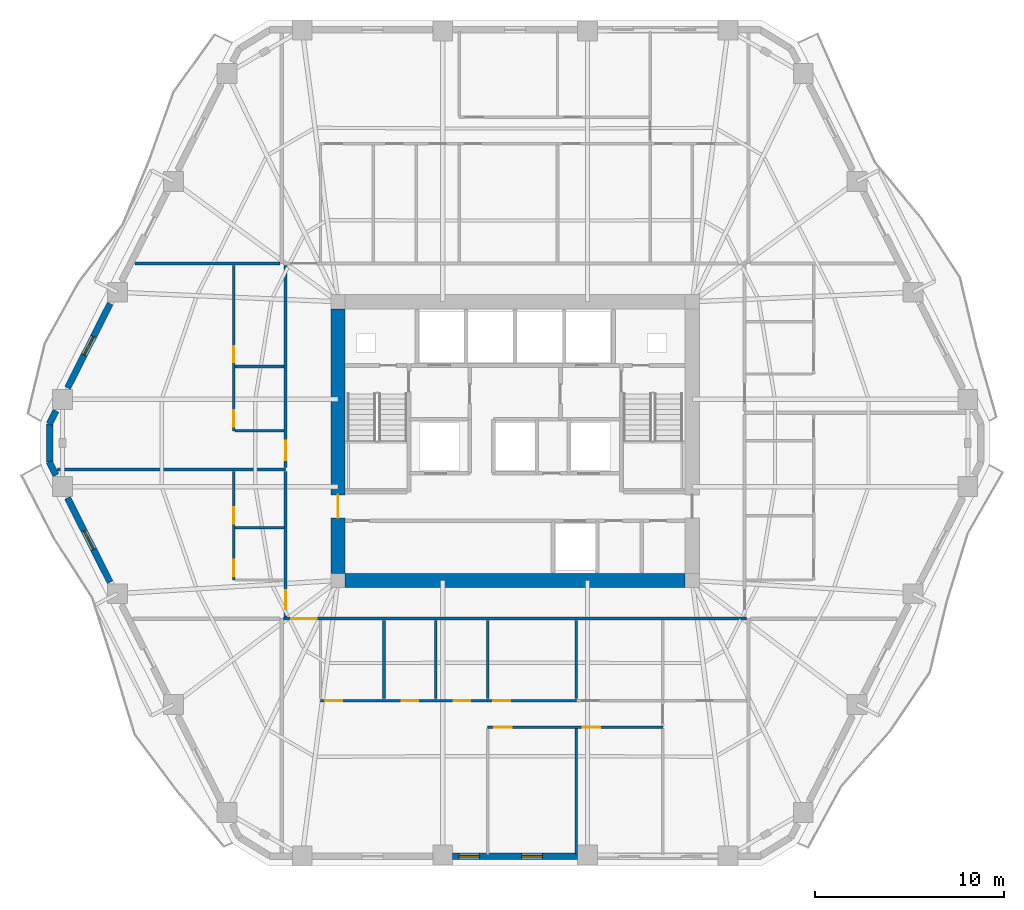
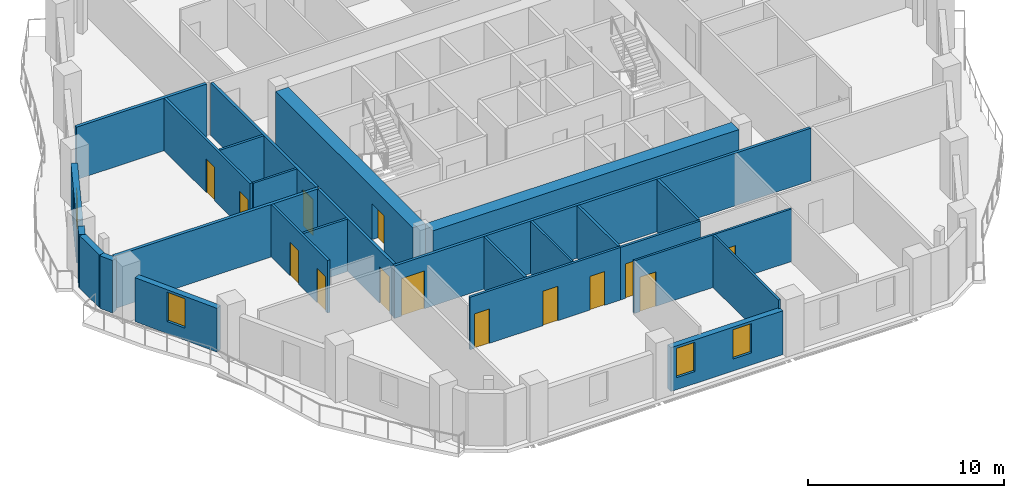
# One storey, part 4 of 11: 26 walls, 14 doors, 4 windows, 18 openings.
"""IFC4 building model written with IfcOpenShell, lengths in metres."""

from ifc_helpers import new_model, si_unit, direction, frame, frame_2d, origin, place, context, subcontext, project, spatial, rectangle, extrude, material, layer, layer_set, type_object, element, fill, save


model = new_model("IFC4")

# Units and contexts
model_context = context("Model", 3, precision=1e-05, world=origin(), true_north=direction((0.0, 1.0)))
body_context = subcontext(model_context, "Body", "Model", "MODEL_VIEW")
ifc_project = project(units=[si_unit("LENGTHUNIT", "METRE"), si_unit("AREAUNIT", "SQUARE_METRE"), si_unit("VOLUMEUNIT", "CUBIC_METRE"), si_unit("PLANEANGLEUNIT", "RADIAN"), si_unit("MASSUNIT", "GRAM", prefix="KILO")], contexts=[model_context])

# Site, building, storey
site_placement = place(None, origin())
site = spatial("IfcSite", under=ifc_project, at=site_placement, CompositionType="ELEMENT")
building_placement = place(site_placement, origin())
building = spatial("IfcBuilding", under=site, at=building_placement, Name="Cinnabar Lancet Tower", CompositionType="ELEMENT")
storey_placement = place(building_placement, frame((0.0, 0.0, 144.550048828125)))
storey = spatial("IfcBuildingStorey", under=building, at=storey_placement, Name="L38", CompositionType="ELEMENT", Elevation=144.550048828125)

# Wall, opening, door
ifc_material_1 = material(Name="Acoustic twin-stud gypsum partition", Category="gypsum")
ifc_layer_1 = layer(ifc_material_1, 0.159912109375)
ifc_layer_set_1 = layer_set([ifc_layer_1], Name="Acoustic twin-stud gypsum partition")
wall_type_1 = type_object("IfcWallType", Name="ARC-WL-CORR-160", PredefinedType="PARTITIONING", material=ifc_layer_set_1)
wall_1_placement = place(storey_placement, frame((20.14501953125, 16.5, 0.0), z_axis=(0.0, 0.0, 1.0), x_axis=(1.0, 0.0, 0.0)))
wall_1 = element("IfcWall", 1, at=wall_1_placement, inside=storey, type_object=wall_type_1, Name="L38 Unit S01 Corridor Wall", PredefinedType="PARTITIONING", context=body_context, shape_type="SweptSolid", body=[
    extrude(rectangle(XDim=24.510009765625, YDim=0.159912109375, at=frame_2d((12.2548828125, 0.0))), origin(), (0.0, 0.0, 1.0), 3.27001953125),
])
opening_1_placement = place(wall_1_placement, frame((0.405029296875, 0.0, 0.0)))
opening_1 = element("IfcOpeningElement", 2, at=opening_1_placement, cuts=wall_1, Name="Opening UD-02", PredefinedType="OPENING", context=body_context, shape_type="SweptSolid", body=[
    extrude(rectangle(XDim=1.35009765625, YDim=2.35009765625, at=frame_2d((0.675048828125, 1.175048828125))), frame((0.0, 0.08984375, 0.0), z_axis=(0.0, -1.0, 0.0), x_axis=(1.0, 0.0, 0.0)), (0.0, 0.0, 1.0), 0.179931640625),
])
ifc_material_2 = material(Name="Double-leaf solid timber penthouse entrance door", Category="wood")
door_type_1 = type_object("IfcDoorType", Name="ARC-DR-UNIT-PH", OperationType="NOTDEFINED", PredefinedType="DOOR", material=ifc_material_2)
door_1_placement = place(opening_1_placement, origin())
door_1 = element("IfcDoor", 3, at=door_1_placement, inside=storey, type_object=door_type_1, Name="DR-L38-S01-ENT", OperationType="SINGLE_SWING_RIGHT", OverallHeight=2.35009765625, OverallWidth=1.35009765625, PredefinedType="DOOR", context=body_context, shape_type="SweptSolid", body=[
    extrude(rectangle(XDim=1.35009765625, YDim=2.35009765625, at=frame_2d((0.675048828125, 1.175048828125))), frame((0.0, 0.02490234375, 0.0), z_axis=(0.0, -1.0, 0.0), x_axis=(1.0, 0.0, 0.0)), (0.0, 0.0, 1.0), 0.050048828125),
])
fill(opening_1, door_1)

wall_2_placement = place(storey_placement, frame((20.25, 16.594970703125, 0.0), z_axis=(0.0, 0.0, 1.0), x_axis=(0.0, 1.0, 0.0)))
wall_2 = element("IfcWall", 4, at=wall_2_placement, inside=storey, type_object=wall_type_1, Name="UW-L38-W01-COR", PredefinedType="PARTITIONING", context=body_context, shape_type="SweptSolid", body=[
    extrude(rectangle(XDim=7.7060546875, YDim=0.159912109375, at=frame_2d((3.85302734375, 0.0))), origin(), (0.0, 0.0, 1.0), 3.27001953125),
])
opening_2_placement = place(wall_2_placement, frame((0.39990234375, 0.0, 0.0)))
opening_2 = element("IfcOpeningElement", 5, at=opening_2_placement, cuts=wall_2, Name="Opening UD-01", PredefinedType="OPENING", context=body_context, shape_type="SweptSolid", body=[
    extrude(rectangle(XDim=1.02001953125, YDim=2.25, at=frame_2d((0.510009765625, 1.125))), frame((0.0, 0.08984375, 0.0), z_axis=(0.0, -1.0, 0.0), x_axis=(1.0, 0.0, 0.0)), (0.0, 0.0, 1.0), 0.179931640625),
])
ifc_material_3 = material(Name="Solid timber fire-rated apartment entrance door", Category="wood")
door_type_2 = type_object("IfcDoorType", Name="ARC-DR-UNIT", OperationType="NOTDEFINED", PredefinedType="DOOR", material=ifc_material_3)
door_2_placement = place(opening_2_placement, origin())
door_2 = element("IfcDoor", 6, at=door_2_placement, inside=storey, type_object=door_type_2, Name="DR-L38-W01-ENT", OperationType="SINGLE_SWING_RIGHT", OverallHeight=2.25, OverallWidth=1.02001953125, PredefinedType="DOOR", context=body_context, shape_type="SweptSolid", body=[
    extrude(rectangle(XDim=1.02001953125, YDim=2.25, at=frame_2d((0.510009765625, 1.125))), frame((0.0, 0.02490234375, 0.0), z_axis=(0.0, -1.0, 0.0), x_axis=(1.0, 0.0, 0.0)), (0.0, 0.0, 1.0), 0.050048828125),
])
fill(opening_2, door_2)

wall_3_placement = place(storey_placement, frame((20.25, 24.490966796875, 0.0), z_axis=(0.0, 0.0, 1.0), x_axis=(0.0, 1.0, 0.0)))
wall_3 = element("IfcWall", 7, at=wall_3_placement, inside=storey, type_object=wall_type_1, Name="UW-L38-W02-COR", PredefinedType="PARTITIONING", context=body_context, shape_type="SweptSolid", body=[
    extrude(rectangle(XDim=10.714111328125, YDim=0.159912109375, at=frame_2d((5.35693359375, 0.0))), origin(), (0.0, 0.0, 1.0), 3.27001953125),
])
opening_3_placement = place(wall_3_placement, frame((0.39990234375, 0.0, 0.0)))
opening_3 = element("IfcOpeningElement", 8, at=opening_3_placement, cuts=wall_3, Name="Opening UD-01", PredefinedType="OPENING", context=body_context, shape_type="SweptSolid", body=[
    extrude(rectangle(XDim=1.02001953125, YDim=2.25, at=frame_2d((0.510009765625, 1.125))), frame((0.0, 0.08984375, 0.0), z_axis=(0.0, -1.0, 0.0), x_axis=(1.0, 0.0, 0.0)), (0.0, 0.0, 1.0), 0.179931640625),
])
door_3_placement = place(opening_3_placement, origin())
door_3 = element("IfcDoor", 9, at=door_3_placement, inside=storey, type_object=door_type_2, Name="DR-L38-W02-ENT", OperationType="SINGLE_SWING_LEFT", OverallHeight=2.25, OverallWidth=1.02001953125, PredefinedType="DOOR", context=body_context, shape_type="SweptSolid", body=[
    extrude(rectangle(XDim=1.02001953125, YDim=2.25, at=frame_2d((0.510009765625, 1.125))), frame((0.0, 0.02490234375, 0.0), z_axis=(0.0, -1.0, 0.0), x_axis=(1.0, 0.0, 0.0)), (0.0, 0.0, 1.0), 0.050048828125),
])
fill(opening_3, door_3)

# Walls
ifc_material_4 = material(Name="Fire-rated twin-frame acoustic drywall", Category="gypsum")
ifc_layer_2 = layer(ifc_material_4, 0.179931640625)
ifc_layer_set_2 = layer_set([ifc_layer_2], Name="Fire-rated twin-frame acoustic drywall")
wall_type_2 = type_object("IfcWallType", Name="ARC-WL-PARTY-180", PredefinedType="PARTITIONING", material=ifc_layer_set_2)
wall_4_placement = place(storey_placement, frame((12.285888671875, 35.300048828125, 0.0), z_axis=(0.0, 0.0, 1.0), x_axis=(1.0, 0.0, 0.0)))
element("IfcWall", 10, at=wall_4_placement, inside=storey, type_object=wall_type_2, Name="PW-L38-WNB", PredefinedType="PARTITIONING", context=body_context, shape_type="SweptSolid", body=[
    extrude(rectangle(XDim=7.669189453125, YDim=0.179931640625, at=frame_2d((3.83447265625, 0.0))), origin(), (0.0, 0.0, 1.0), 3.27001953125),
])
wall_5_placement = place(storey_placement, frame((8.18994140625, 24.39599609375, 0.0), z_axis=(0.0, 0.0, 1.0), x_axis=(1.0, 0.0, 0.0)))
element("IfcWall", 11, at=wall_5_placement, inside=storey, type_object=wall_type_2, Name="PW-L38-WPTY-1", PredefinedType="PARTITIONING", context=body_context, shape_type="SweptSolid", body=[
    extrude(rectangle(XDim=12.06005859375, YDim=0.179931640625, at=frame_2d((6.030029296875, 0.0))), origin(), (0.0, 0.0, 1.0), 3.27001953125),
])
ifc_material_5 = material(Name="Gypsum plasterboard stud partition", Category="gypsum")
ifc_layer_3 = layer(ifc_material_5, 0.125)
ifc_layer_set_3 = layer_set([ifc_layer_3], Name="Gypsum plasterboard stud partition")
wall_type_3 = type_object("IfcWallType", Name="ARC-WL-UNIT-125", PredefinedType="PARTITIONING", material=ifc_layer_set_3)
wall_6_placement = place(storey_placement, frame((28.2060546875, 12.26708984375, 0.0), z_axis=(0.0, 0.0, 1.0), x_axis=(0.0, 1.0, 0.0)))
element("IfcWall", 12, at=wall_6_placement, inside=storey, type_object=wall_type_3, Name="UW-L38-S01-STD", PredefinedType="PARTITIONING", context=body_context, shape_type="SweptSolid", body=[
    extrude(rectangle(XDim=4.14794921875, YDim=0.125, at=frame_2d((2.073974609375, 0.0))), origin(), (0.0, 0.0, 1.0), 3.27001953125),
])

# Wall, openings, doors
wall_7_placement = place(storey_placement, frame((30.949951171875, 10.761962890625, 0.0), z_axis=(0.0, 0.0, 1.0), x_axis=(1.0, 0.0, 0.0)))
wall_7 = element("IfcWall", 13, at=wall_7_placement, inside=storey, type_object=wall_type_3, Name="UW-L38-S01-HLN", PredefinedType="PARTITIONING", context=body_context, shape_type="SweptSolid", body=[
    extrude(rectangle(XDim=9.27001953125, YDim=0.125, at=frame_2d((4.635009765625, 0.0))), origin(), (0.0, 0.0, 1.0), 3.27001953125),
])
opening_4_placement = place(wall_7_placement, frame((0.35009765625, 0.0, 0.0)))
opening_4 = element("IfcOpeningElement", 14, at=opening_4_placement, cuts=wall_7, Name="Opening RD-01", PredefinedType="OPENING", context=body_context, shape_type="SweptSolid", body=[
    extrude(rectangle(XDim=0.919921875, YDim=2.14990234375, at=frame_2d((0.4599609375, 1.074951171875))), frame((0.0, 0.072509765625, 0.0), z_axis=(0.0, -1.0, 0.0), x_axis=(1.0, 0.0, 0.0)), (0.0, 0.0, 1.0), 0.14501953125),
])
opening_5_placement = place(wall_7_placement, frame((5.0419921875, 0.0, 0.0)))
opening_5 = element("IfcOpeningElement", 15, at=opening_5_placement, cuts=wall_7, Name="Opening RD-01", PredefinedType="OPENING", context=body_context, shape_type="SweptSolid", body=[
    extrude(rectangle(XDim=0.919921875, YDim=2.14990234375, at=frame_2d((0.4599609375, 1.074951171875))), frame((0.0, 0.072509765625, 0.0), z_axis=(0.0, -1.0, 0.0), x_axis=(1.0, 0.0, 0.0)), (0.0, 0.0, 1.0), 0.14501953125),
])
ifc_material_6 = material(Name="Engineered timber bedroom door", Category="wood")
door_type_3 = type_object("IfcDoorType", Name="ARC-DR-ROOM", OperationType="NOTDEFINED", PredefinedType="DOOR", material=ifc_material_6)
door_4_placement = place(opening_4_placement, origin())
door_4 = element("IfcDoor", 16, at=door_4_placement, inside=storey, type_object=door_type_3, Name="DR-L38-S01-BD2", OperationType="SINGLE_SWING_LEFT", OverallHeight=2.14990234375, OverallWidth=0.919921875, PredefinedType="DOOR", context=body_context, shape_type="SweptSolid", body=[
    extrude(rectangle(XDim=0.919921875, YDim=2.14990234375, at=frame_2d((0.4599609375, 1.074951171875))), frame((0.0, 0.02490234375, 0.0), z_axis=(0.0, -1.0, 0.0), x_axis=(1.0, 0.0, 0.0)), (0.0, 0.0, 1.0), 0.050048828125),
])
fill(opening_4, door_4)
door_5_placement = place(opening_5_placement, origin())
door_5 = element("IfcDoor", 17, at=door_5_placement, inside=storey, type_object=door_type_3, Name="DR-L38-S01-BD3", OperationType="SINGLE_SWING_RIGHT", OverallHeight=2.14990234375, OverallWidth=0.919921875, PredefinedType="DOOR", context=body_context, shape_type="SweptSolid", body=[
    extrude(rectangle(XDim=0.919921875, YDim=2.14990234375, at=frame_2d((0.4599609375, 1.074951171875))), frame((0.0, 0.02490234375, 0.0), z_axis=(0.0, -1.0, 0.0), x_axis=(1.0, 0.0, 0.0)), (0.0, 0.0, 1.0), 0.050048828125),
])
fill(opening_5, door_5)

# Walls
wall_8_placement = place(storey_placement, frame((35.64208984375, 4.014892578125, 0.0), z_axis=(0.0, 0.0, 1.0), x_axis=(0.0, 1.0, 0.0)))
element("IfcWall", 18, at=wall_8_placement, inside=storey, type_object=wall_type_3, Name="UW-L38-S01-MB2W", PredefinedType="PARTITIONING", context=body_context, shape_type="SweptSolid", body=[
    extrude(rectangle(XDim=6.68212890625, YDim=0.125, at=frame_2d((3.341064453125, 0.0))), origin(), (0.0, 0.0, 1.0), 3.27001953125),
])
wall_9_placement = place(storey_placement, frame((17.5849609375, 26.446044921875, 0.0), z_axis=(0.0, 0.0, 1.0), x_axis=(1.0, 0.0, 0.0)))
element("IfcWall", 19, at=wall_9_placement, inside=storey, type_object=wall_type_3, Name="UW-L38-W02-FOYN", PredefinedType="PARTITIONING", context=body_context, shape_type="SweptSolid", body=[
    extrude(rectangle(XDim=2.580078125, YDim=0.125, at=frame_2d((1.2900390625, 0.0))), origin(), (0.0, 0.0, 1.0), 3.27001953125),
])

# Wall, openings, doors
ifc_material_7 = material(Name="Moisture-resistant cement-board plumbing wall", Category="masonry")
ifc_layer_4 = layer(ifc_material_7, 0.139892578125)
ifc_layer_set_4 = layer_set([ifc_layer_4], Name="Moisture-resistant cement-board plumbing wall")
wall_type_4 = type_object("IfcWallType", Name="ARC-WL-WET-140", PredefinedType="PLUMBINGWALL", material=ifc_layer_set_4)
wall_10_placement = place(storey_placement, frame((22.10009765625, 12.162109375, 0.0), z_axis=(0.0, 0.0, 1.0), x_axis=(1.0, 0.0, 0.0)))
wall_10 = element("IfcWall", 20, at=wall_10_placement, inside=storey, type_object=wall_type_4, Name="UW-L38-S01-SPL", PredefinedType="PLUMBINGWALL", context=body_context, shape_type="SweptSolid", body=[
    extrude(rectangle(XDim=8.849853515625, YDim=0.139892578125, at=frame_2d((4.4248046875, 0.0))), origin(), (0.0, 0.0, 1.0), 3.27001953125),
])
opening_6_placement = place(wall_10_placement, frame((7.052978515625, 0.0, 0.0)))
opening_6 = element("IfcOpeningElement", 21, at=opening_6_placement, cuts=wall_10, Name="Opening BD-01", PredefinedType="OPENING", context=body_context, shape_type="SweptSolid", body=[
    extrude(rectangle(XDim=0.860107421875, YDim=2.10009765625, at=frame_2d((0.43017578125, 1.050048828125))), frame((0.0, 0.079833984375, 0.0), z_axis=(0.0, -1.0, 0.0), x_axis=(1.0, 0.0, 0.0)), (0.0, 0.0, 1.0), 0.159912109375),
])
opening_7_placement = place(wall_10_placement, frame((0.260009765625, 0.0, 0.0)))
opening_7 = element("IfcOpeningElement", 22, at=opening_7_placement, cuts=wall_10, Name="Opening RD-02", PredefinedType="OPENING", context=body_context, shape_type="SweptSolid", body=[
    extrude(rectangle(XDim=0.8798828125, YDim=2.14990234375, at=frame_2d((0.43994140625, 1.074951171875))), frame((0.0, 0.079833984375, 0.0), z_axis=(0.0, -1.0, 0.0), x_axis=(1.0, 0.0, 0.0)), (0.0, 0.0, 1.0), 0.159912109375),
])
opening_8_placement = place(wall_10_placement, frame((4.2939453125, 0.0, 0.0)))
opening_8 = element("IfcOpeningElement", 23, at=opening_8_placement, cuts=wall_10, Name="Opening RD-02", PredefinedType="OPENING", context=body_context, shape_type="SweptSolid", body=[
    extrude(rectangle(XDim=0.8798828125, YDim=2.14990234375, at=frame_2d((0.43994140625, 1.074951171875))), frame((0.0, 0.079833984375, 0.0), z_axis=(0.0, -1.0, 0.0), x_axis=(1.0, 0.0, 0.0)), (0.0, 0.0, 1.0), 0.159912109375),
])
ifc_material_8 = material(Name="Moisture-resistant timber bathroom door", Category="wood")
door_type_4 = type_object("IfcDoorType", Name="ARC-DR-BATH", OperationType="NOTDEFINED", PredefinedType="DOOR", material=ifc_material_8)
door_6_placement = place(opening_6_placement, origin())
door_6 = element("IfcDoor", 24, at=door_6_placement, inside=storey, type_object=door_type_4, Name="DR-L38-S01-BTH", OperationType="SINGLE_SWING_LEFT", OverallHeight=2.10009765625, OverallWidth=0.860107421875, PredefinedType="DOOR", context=body_context, shape_type="SweptSolid", body=[
    extrude(rectangle(XDim=0.860107421875, YDim=2.10009765625, at=frame_2d((0.43017578125, 1.050048828125))), frame((0.0, 0.02490234375, 0.0), z_axis=(0.0, -1.0, 0.0), x_axis=(1.0, 0.0, 0.0)), (0.0, 0.0, 1.0), 0.050048828125),
])
fill(opening_6, door_6)
ifc_material_9 = material(Name="Engineered timber study door", Category="wood")
door_type_5 = type_object("IfcDoorType", Name="ARC-DR-STUDY", OperationType="NOTDEFINED", PredefinedType="DOOR", material=ifc_material_9)
door_7_placement = place(opening_7_placement, origin())
door_7 = element("IfcDoor", 25, at=door_7_placement, inside=storey, type_object=door_type_5, Name="DR-L38-S01-KIT", OperationType="SINGLE_SWING_LEFT", OverallHeight=2.14990234375, OverallWidth=0.8798828125, PredefinedType="DOOR", context=body_context, shape_type="SweptSolid", body=[
    extrude(rectangle(XDim=0.8798828125, YDim=2.14990234375, at=frame_2d((0.43994140625, 1.074951171875))), frame((0.0, 0.02490234375, 0.0), z_axis=(0.0, -1.0, 0.0), x_axis=(1.0, 0.0, 0.0)), (0.0, 0.0, 1.0), 0.050048828125),
])
fill(opening_7, door_7)
door_8_placement = place(opening_8_placement, origin())
door_8 = element("IfcDoor", 26, at=door_8_placement, inside=storey, type_object=door_type_5, Name="DR-L38-S01-STD", OperationType="SINGLE_SWING_RIGHT", OverallHeight=2.14990234375, OverallWidth=0.8798828125, PredefinedType="DOOR", context=body_context, shape_type="SweptSolid", body=[
    extrude(rectangle(XDim=0.8798828125, YDim=2.14990234375, at=frame_2d((0.43994140625, 1.074951171875))), frame((0.0, 0.02490234375, 0.0), z_axis=(0.0, -1.0, 0.0), x_axis=(1.0, 0.0, 0.0)), (0.0, 0.0, 1.0), 0.050048828125),
])
fill(opening_8, door_8)

# Wall, opening, door
wall_11_placement = place(storey_placement, frame((30.949951171875, 12.162109375, 0.0), z_axis=(0.0, 0.0, 1.0), x_axis=(1.0, 0.0, 0.0)))
wall_11 = element("IfcWall", 27, at=wall_11_placement, inside=storey, type_object=wall_type_4, Name="UW-L38-S01-SPM", PredefinedType="PLUMBINGWALL", context=body_context, shape_type="SweptSolid", body=[
    extrude(rectangle(XDim=4.692138671875, YDim=0.139892578125, at=frame_2d((2.34619140625, 0.0))), origin(), (0.0, 0.0, 1.0), 3.27001953125),
])
opening_9_placement = place(wall_11_placement, frame((0.300048828125, 0.0, 0.0)))
opening_9 = element("IfcOpeningElement", 28, at=opening_9_placement, cuts=wall_11, Name="Opening RD-02", PredefinedType="OPENING", context=body_context, shape_type="SweptSolid", body=[
    extrude(rectangle(XDim=0.8798828125, YDim=2.14990234375, at=frame_2d((0.43994140625, 1.074951171875))), frame((0.0, 0.079833984375, 0.0), z_axis=(0.0, -1.0, 0.0), x_axis=(1.0, 0.0, 0.0)), (0.0, 0.0, 1.0), 0.159912109375),
])
door_9_placement = place(opening_9_placement, origin())
door_9 = element("IfcDoor", 29, at=door_9_placement, inside=storey, type_object=door_type_5, Name="DR-L38-S01-UTL", OperationType="SINGLE_SWING_RIGHT", OverallHeight=2.14990234375, OverallWidth=0.8798828125, PredefinedType="DOOR", context=body_context, shape_type="SweptSolid", body=[
    extrude(rectangle(XDim=0.8798828125, YDim=2.14990234375, at=frame_2d((0.43994140625, 1.074951171875))), frame((0.0, 0.02490234375, 0.0), z_axis=(0.0, -1.0, 0.0), x_axis=(1.0, 0.0, 0.0)), (0.0, 0.0, 1.0), 0.050048828125),
])
fill(opening_9, door_9)

# Walls
for number, where, z_axis, x_axis, name in (
    (30, (25.462890625, 12.26708984375, 0.0), (0.0, 0.0, 1.0), (0.0, 1.0, 0.0), "UW-L38-S01-KDV"),
    (31, (30.949951171875, 12.26708984375, 0.0), (0.0, 0.0, 1.0), (0.0, 1.0, 0.0), "UW-L38-S01-ENSW"),
    (32, (35.64208984375, 12.26708984375, 0.0), (0.0, 0.0, 1.0), (0.0, 1.0, 0.0), "UW-L38-S01-ENSE"),
):
    element("IfcWall", number, at=place(storey_placement, frame(where, z_axis=z_axis, x_axis=x_axis)), inside=storey, type_object=wall_type_4, Name=name, PredefinedType="PLUMBINGWALL", context=body_context, shape_type="SweptSolid", body=[
        extrude(rectangle(XDim=4.14794921875, YDim=0.139892578125, at=frame_2d((2.073974609375, 0.0))), origin(), (0.0, 0.0, 1.0), 3.27001953125),
    ])

# Wall, openings, doors
wall_12_placement = place(storey_placement, frame((17.5, 18.550048828125, 0.0), z_axis=(0.0, 0.0, 1.0), x_axis=(0.0, 1.0, 0.0)))
wall_12 = element("IfcWall", 33, at=wall_12_placement, inside=storey, type_object=wall_type_4, Name="UW-L38-W01-SPL", PredefinedType="PLUMBINGWALL", context=body_context, shape_type="SweptSolid", body=[
    extrude(rectangle(XDim=5.7509765625, YDim=0.139892578125, at=frame_2d((2.87548828125, 0.0))), origin(), (0.0, 0.0, 1.0), 3.27001953125),
])
opening_10_placement = place(wall_12_placement, frame((2.97998046875, 0.0, 0.0)))
opening_10 = element("IfcOpeningElement", 34, at=opening_10_placement, cuts=wall_12, Name="Opening BD-01", PredefinedType="OPENING", context=body_context, shape_type="SweptSolid", body=[
    extrude(rectangle(XDim=0.860107421875, YDim=2.10009765625, at=frame_2d((0.43017578125, 1.050048828125))), frame((0.0, 0.079833984375, 0.0), z_axis=(0.0, -1.0, 0.0), x_axis=(1.0, 0.0, 0.0)), (0.0, 0.0, 1.0), 0.159912109375),
])
opening_11_placement = place(wall_12_placement, frame((0.199951171875, 0.0, 0.0)))
opening_11 = element("IfcOpeningElement", 35, at=opening_11_placement, cuts=wall_12, Name="Opening RD-02", PredefinedType="OPENING", context=body_context, shape_type="SweptSolid", body=[
    extrude(rectangle(XDim=0.8798828125, YDim=2.14990234375, at=frame_2d((0.43994140625, 1.074951171875))), frame((0.0, 0.079833984375, 0.0), z_axis=(0.0, -1.0, 0.0), x_axis=(1.0, 0.0, 0.0)), (0.0, 0.0, 1.0), 0.159912109375),
])
door_10_placement = place(opening_10_placement, origin())
door_10 = element("IfcDoor", 36, at=door_10_placement, inside=storey, type_object=door_type_4, Name="DR-L38-W01-BTH", OperationType="SINGLE_SWING_RIGHT", OverallHeight=2.10009765625, OverallWidth=0.860107421875, PredefinedType="DOOR", context=body_context, shape_type="SweptSolid", body=[
    extrude(rectangle(XDim=0.860107421875, YDim=2.10009765625, at=frame_2d((0.43017578125, 1.050048828125))), frame((0.0, 0.02490234375, 0.0), z_axis=(0.0, -1.0, 0.0), x_axis=(1.0, 0.0, 0.0)), (0.0, 0.0, 1.0), 0.050048828125),
])
fill(opening_10, door_10)
door_11_placement = place(opening_11_placement, origin())
door_11 = element("IfcDoor", 37, at=door_11_placement, inside=storey, type_object=door_type_5, Name="DR-L38-W01-KIT", OperationType="SINGLE_SWING_LEFT", OverallHeight=2.14990234375, OverallWidth=0.8798828125, PredefinedType="DOOR", context=body_context, shape_type="SweptSolid", body=[
    extrude(rectangle(XDim=0.8798828125, YDim=2.14990234375, at=frame_2d((0.43994140625, 1.074951171875))), frame((0.0, 0.02490234375, 0.0), z_axis=(0.0, -1.0, 0.0), x_axis=(1.0, 0.0, 0.0)), (0.0, 0.0, 1.0), 0.050048828125),
])
fill(opening_11, door_11)

# Wall
wall_13_placement = place(storey_placement, frame((17.5849609375, 21.31005859375, 0.0), z_axis=(0.0, 0.0, 1.0), x_axis=(1.0, 0.0, 0.0)))
element("IfcWall", 38, at=wall_13_placement, inside=storey, type_object=wall_type_4, Name="UW-L38-W01-KDV", PredefinedType="PLUMBINGWALL", context=body_context, shape_type="SweptSolid", body=[
    extrude(rectangle(XDim=2.580078125, YDim=0.139892578125, at=frame_2d((1.2900390625, 0.0))), origin(), (0.0, 0.0, 1.0), 3.27001953125),
])

# Wall, openings, doors
wall_14_placement = place(storey_placement, frame((17.5, 26.446044921875, 0.0), z_axis=(0.0, 0.0, 1.0), x_axis=(0.0, 1.0, 0.0)))
wall_14 = element("IfcWall", 39, at=wall_14_placement, inside=storey, type_object=wall_type_4, Name="UW-L38-W02-SPL", PredefinedType="PLUMBINGWALL", context=body_context, shape_type="SweptSolid", body=[
    extrude(rectangle(XDim=8.759033203125, YDim=0.139892578125, at=frame_2d((4.37939453125, 0.0))), origin(), (0.0, 0.0, 1.0), 3.27001953125),
])
opening_12_placement = place(wall_14_placement, frame((3.6201171875, 0.0, 0.0)))
opening_12 = element("IfcOpeningElement", 40, at=opening_12_placement, cuts=wall_14, Name="Opening BD-01", PredefinedType="OPENING", context=body_context, shape_type="SweptSolid", body=[
    extrude(rectangle(XDim=0.860107421875, YDim=2.10009765625, at=frame_2d((0.43017578125, 1.050048828125))), frame((0.0, 0.079833984375, 0.0), z_axis=(0.0, -1.0, 0.0), x_axis=(1.0, 0.0, 0.0)), (0.0, 0.0, 1.0), 0.159912109375),
])
opening_13_placement = place(wall_14_placement, frame((0.199951171875, 0.0, 0.0)))
opening_13 = element("IfcOpeningElement", 41, at=opening_13_placement, cuts=wall_14, Name="Opening RD-02", PredefinedType="OPENING", context=body_context, shape_type="SweptSolid", body=[
    extrude(rectangle(XDim=0.8798828125, YDim=2.14990234375, at=frame_2d((0.43994140625, 1.074951171875))), frame((0.0, 0.079833984375, 0.0), z_axis=(0.0, -1.0, 0.0), x_axis=(1.0, 0.0, 0.0)), (0.0, 0.0, 1.0), 0.159912109375),
])
door_12_placement = place(opening_12_placement, origin())
door_12 = element("IfcDoor", 42, at=door_12_placement, inside=storey, type_object=door_type_4, Name="DR-L38-W02-BTH", OperationType="SINGLE_SWING_LEFT", OverallHeight=2.10009765625, OverallWidth=0.860107421875, PredefinedType="DOOR", context=body_context, shape_type="SweptSolid", body=[
    extrude(rectangle(XDim=0.860107421875, YDim=2.10009765625, at=frame_2d((0.43017578125, 1.050048828125))), frame((0.0, 0.02490234375, 0.0), z_axis=(0.0, -1.0, 0.0), x_axis=(1.0, 0.0, 0.0)), (0.0, 0.0, 1.0), 0.050048828125),
])
fill(opening_12, door_12)
door_13_placement = place(opening_13_placement, origin())
door_13 = element("IfcDoor", 43, at=door_13_placement, inside=storey, type_object=door_type_5, Name="DR-L38-W02-KIT", OperationType="SINGLE_SWING_RIGHT", OverallHeight=2.14990234375, OverallWidth=0.8798828125, PredefinedType="DOOR", context=body_context, shape_type="SweptSolid", body=[
    extrude(rectangle(XDim=0.8798828125, YDim=2.14990234375, at=frame_2d((0.43994140625, 1.074951171875))), frame((0.0, 0.02490234375, 0.0), z_axis=(0.0, -1.0, 0.0), x_axis=(1.0, 0.0, 0.0)), (0.0, 0.0, 1.0), 0.050048828125),
])
fill(opening_13, door_13)

# Walls
wall_15_placement = place(storey_placement, frame((17.5849609375, 29.845947265625, 0.0), z_axis=(0.0, 0.0, 1.0), x_axis=(1.0, 0.0, 0.0)))
element("IfcWall", 44, at=wall_15_placement, inside=storey, type_object=wall_type_4, Name="UW-L38-W02-KDV", PredefinedType="PLUMBINGWALL", context=body_context, shape_type="SweptSolid", body=[
    extrude(rectangle(XDim=2.580078125, YDim=0.139892578125, at=frame_2d((1.2900390625, 0.0))), origin(), (0.0, 0.0, 1.0), 3.27001953125),
])
ifc_material_10 = material(Name="Cinnabar red clay brick", Category="masonry")
ifc_layer_5 = layer(ifc_material_10, 0.340087890625)
ifc_layer_set_5 = layer_set([ifc_layer_5], Name="Cinnabar red clay brick")
wall_type_5 = type_object("IfcWallType", Name="ENV-WL-BRK-RED-340", PredefinedType="STANDARD", material=ifc_layer_set_5)
wall_16_placement = place(storey_placement, frame((7.76708984375, 26.797119140625, 0.0), z_axis=(0.0, 0.0, 1.0), x_axis=(0.0, -1.0, 0.0)))
element("IfcWall", 45, at=wall_16_placement, inside=storey, type_object=wall_type_5, Name="L38 Chamfered Corner Brick Pier 6.1", PredefinedType="STANDARD", context=body_context, shape_type="SweptSolid", body=[
    extrude(rectangle(XDim=1.994140625, YDim=0.340087890625, at=frame_2d((0.9970703125, 0.0))), origin(), (0.0, 0.0, 1.0), 3.27001953125),
])

# Wall, openings, windows
wall_17_placement = place(storey_placement, frame((29.096923828125, 3.929931640625, 0.0), z_axis=(0.0, 0.0, 1.0), x_axis=(1.0, 0.0, 0.0)))
wall_17 = element("IfcWall", 46, at=wall_17_placement, inside=storey, type_object=wall_type_5, Name="L38 Face 1 Masonry Bay Wall 3", PredefinedType="STANDARD", context=body_context, shape_type="SweptSolid", body=[
    extrude(rectangle(XDim=6.60595703125, YDim=0.340087890625, at=frame_2d((3.302978515625, 0.0))), origin(), (0.0, 0.0, 1.0), 2.72705078125),
])
opening_14_placement = place(wall_17_placement, frame((0.320068359375, 0.0, 0.75)))
opening_14 = element("IfcOpeningElement", 47, at=opening_14_placement, cuts=wall_17, Name="Opening WN-04", PredefinedType="OPENING", context=body_context, shape_type="SweptSolid", body=[
    extrude(rectangle(XDim=1.10009765625, YDim=1.826904296875, at=frame_2d((0.550048828125, 0.91357421875))), frame((0.0, 0.179931640625, 0.0), z_axis=(0.0, -1.0, 0.0), x_axis=(1.0, 0.0, 0.0)), (0.0, 0.0, 1.0), 0.360107421875),
])
opening_15_placement = place(wall_17_placement, frame((3.64892578125, 0.0, 0.75)))
opening_15 = element("IfcOpeningElement", 48, at=opening_15_placement, cuts=wall_17, Name="Opening WN-04", PredefinedType="OPENING", context=body_context, shape_type="SweptSolid", body=[
    extrude(rectangle(XDim=1.10009765625, YDim=1.826904296875, at=frame_2d((0.550048828125, 0.91357421875))), frame((0.0, 0.179931640625, 0.0), z_axis=(0.0, -1.0, 0.0), x_axis=(1.0, 0.0, 0.0)), (0.0, 0.0, 1.0), 0.360107421875),
])
ifc_material_11 = material(Name="Thermally broken bronze-anodized aluminium tall lancet window", Category="aluminium")
window_type = type_object("IfcWindowType", Name="ENV-WN-LANCET-1100", PartitioningType="SINGLE_PANEL", PredefinedType="WINDOW", material=ifc_material_11)
window_1_placement = place(opening_14_placement, origin())
window_1 = element("IfcWindow", 49, at=window_1_placement, inside=storey, type_object=window_type, Name="L38 Face 1 Gothic Lancet Window 3", OverallHeight=1.826904296875, OverallWidth=1.10009765625, PartitioningType="SINGLE_PANEL", PredefinedType="WINDOW", context=body_context, shape_type="SweptSolid", body=[
    extrude(rectangle(XDim=1.10009765625, YDim=1.826904296875, at=frame_2d((0.550048828125, 0.91357421875))), frame((0.0, 0.030029296875, 0.0), z_axis=(0.0, -1.0, 0.0), x_axis=(1.0, 0.0, 0.0)), (0.0, 0.0, 1.0), 0.06005859375),
])
fill(opening_14, window_1)
window_2_placement = place(opening_15_placement, origin())
window_2 = element("IfcWindow", 50, at=window_2_placement, inside=storey, type_object=window_type, Name="L38 Split-Bay Gothic Lancet Window 109", OverallHeight=1.826904296875, OverallWidth=1.10009765625, PartitioningType="SINGLE_PANEL", PredefinedType="WINDOW", context=body_context, shape_type="SweptSolid", body=[
    extrude(rectangle(XDim=1.10009765625, YDim=1.826904296875, at=frame_2d((0.550048828125, 0.91357421875))), frame((0.0, 0.030029296875, 0.0), z_axis=(0.0, -1.0, 0.0), x_axis=(1.0, 0.0, 0.0)), (0.0, 0.0, 1.0), 0.06005859375),
])
fill(opening_15, window_2)

# Wall, opening, window
wall_18_placement = place(storey_placement, frame((10.968017578125, 33.172119140625, 0.0), z_axis=(0.0, 0.0, 1.0), x_axis=(-0.451470533039, -0.892286029139, 0.0)))
wall_18 = element("IfcWall", 51, at=wall_18_placement, inside=storey, type_object=wall_type_5, Name="L38 Face 5 Masonry Bay Wall 4", PredefinedType="STANDARD", context=body_context, shape_type="SweptSolid", body=[
    extrude(rectangle(XDim=4.9951171875, YDim=0.340087890625, at=frame_2d((2.49755859375, 0.0))), origin(), (0.0, 0.0, 1.0), 2.72705078125),
])
opening_16_placement = place(wall_18_placement, frame((1.947021484375, 0.0, 0.75)))
opening_16 = element("IfcOpeningElement", 52, at=opening_16_placement, cuts=wall_18, Name="Opening WN-04", PredefinedType="OPENING", context=body_context, shape_type="SweptSolid", body=[
    extrude(rectangle(XDim=1.10009765625, YDim=1.826904296875, at=frame_2d((0.550048828125, 0.91357421875))), frame((0.0, 0.179931640625, 0.0), z_axis=(0.0, -1.0, 0.0), x_axis=(1.0, 0.0, 0.0)), (0.0, 0.0, 1.0), 0.360107421875),
])
window_3_placement = place(opening_16_placement, origin())
window_3 = element("IfcWindow", 53, at=window_3_placement, inside=storey, type_object=window_type, Name="L38 Face 5 Gothic Lancet Window 4", OverallHeight=1.826904296875, OverallWidth=1.10009765625, PartitioningType="SINGLE_PANEL", PredefinedType="WINDOW", context=body_context, shape_type="SweptSolid", body=[
    extrude(rectangle(XDim=1.10009765625, YDim=1.826904296875, at=frame_2d((0.550048828125, 0.91357421875))), frame((0.0, 0.030029296875, 0.0), z_axis=(0.0, -1.0, 0.0), x_axis=(1.0, 0.0, 0.0)), (0.0, 0.0, 1.0), 0.06005859375),
])
fill(opening_16, window_3)

# Walls
for number, where, z_axis, x_axis, name in (
    (54, (8.10009765625, 27.5029296875, 0.0), (0.0, 0.0, 1.0), (-0.451819324107, -0.89210946546, 0.0), "L38 Face 5 Masonry Bay Wall 5"),
    (55, (7.74609375, 24.7958984375, 0.0), (0.0, 0.0, 1.0), (0.451819324107, -0.89210946546, 0.0), "L38 Face 6 Masonry Bay Wall 1"),
):
    element("IfcWall", number, at=place(storey_placement, frame(where, z_axis=z_axis, x_axis=x_axis)), inside=storey, type_object=wall_type_5, Name=name, PredefinedType="STANDARD", context=body_context, shape_type="SweptSolid", body=[
        extrude(rectangle(XDim=0.783447265625, YDim=0.340087890625, at=frame_2d((0.3916015625, 0.0))), origin(), (0.0, 0.0, 1.0), 3.27001953125),
    ])

# Wall, opening, window
wall_19_placement = place(storey_placement, frame((8.712890625, 22.885009765625, 0.0), z_axis=(0.0, 0.0, 1.0), x_axis=(0.451470533039, -0.892286029139, 0.0)))
wall_19 = element("IfcWall", 56, at=wall_19_placement, inside=storey, type_object=wall_type_5, Name="L38 Face 6 Masonry Bay Wall 2", PredefinedType="STANDARD", context=body_context, shape_type="SweptSolid", body=[
    extrude(rectangle(XDim=4.9951171875, YDim=0.340087890625, at=frame_2d((2.49755859375, 0.0))), origin(), (0.0, 0.0, 1.0), 2.72705078125),
])
opening_17_placement = place(wall_19_placement, frame((1.947021484375, 0.0, 0.75)))
opening_17 = element("IfcOpeningElement", 57, at=opening_17_placement, cuts=wall_19, Name="Opening WN-04", PredefinedType="OPENING", context=body_context, shape_type="SweptSolid", body=[
    extrude(rectangle(XDim=1.10009765625, YDim=1.826904296875, at=frame_2d((0.550048828125, 0.91357421875))), frame((0.0, 0.179931640625, 0.0), z_axis=(0.0, -1.0, 0.0), x_axis=(1.0, 0.0, 0.0)), (0.0, 0.0, 1.0), 0.360107421875),
])
window_4_placement = place(opening_17_placement, origin())
window_4 = element("IfcWindow", 58, at=window_4_placement, inside=storey, type_object=window_type, Name="L38 Face 6 Gothic Lancet Window 2", OverallHeight=1.826904296875, OverallWidth=1.10009765625, PartitioningType="SINGLE_PANEL", PredefinedType="WINDOW", context=body_context, shape_type="SweptSolid", body=[
    extrude(rectangle(XDim=1.10009765625, YDim=1.826904296875, at=frame_2d((0.550048828125, 0.91357421875))), frame((0.0, 0.030029296875, 0.0), z_axis=(0.0, -1.0, 0.0), x_axis=(1.0, 0.0, 0.0)), (0.0, 0.0, 1.0), 0.06005859375),
])
fill(opening_17, window_4)

# Wall
ifc_material_12 = material(Name="Concrete C70/85", Category="concrete")
ifc_layer_6 = layer(ifc_material_12, 0.75)
ifc_layer_set_6 = layer_set([ifc_layer_6], Name="Concrete C70/85")
wall_type_6 = type_object("IfcWallType", Name="STR-WL-CORE-750", PredefinedType="SHEAR", material=ifc_layer_set_6)
wall_20_placement = place(storey_placement, frame((23.39990234375, 18.52490234375, 0.0), z_axis=(0.0, 0.0, 1.0), x_axis=(1.0, 0.0, 0.0)))
element("IfcWall", 59, at=wall_20_placement, inside=storey, type_object=wall_type_6, Name="L38 Core Shear Wall S", PredefinedType="SHEAR", context=body_context, shape_type="SweptSolid", body=[
    extrude(rectangle(XDim=18.0, YDim=0.75, at=frame_2d((9.0, 0.0))), origin(), (0.0, 0.0, 1.0), 3.27001953125),
])

# Wall, opening, door
wall_21_placement = place(storey_placement, frame((23.02490234375, 18.89990234375, 0.0), z_axis=(0.0, 0.0, 1.0), x_axis=(0.0, 1.0, 0.0)))
wall_21 = element("IfcWall", 60, at=wall_21_placement, inside=storey, type_object=wall_type_6, Name="L38 Core Shear Wall W", PredefinedType="SHEAR", context=body_context, shape_type="SweptSolid", body=[
    extrude(rectangle(XDim=14.0, YDim=0.75, at=frame_2d((7.0, 0.0))), origin(), (0.0, 0.0, 1.0), 3.27001953125),
])
opening_18_placement = place(wall_21_placement, frame((2.93994140625, 0.0, 0.0)))
opening_18 = element("IfcOpeningElement", 61, at=opening_18_placement, cuts=wall_21, Name="Opening FD-02", PredefinedType="OPENING", context=body_context, shape_type="SweptSolid", body=[
    extrude(rectangle(XDim=1.219970703125, YDim=2.25, at=frame_2d((0.60986328125, 1.125))), frame((0.0, 0.385009765625, 0.0), z_axis=(0.0, -1.0, 0.0), x_axis=(1.0, 0.0, 0.0)), (0.0, 0.0, 1.0), 0.77001953125),
])
ifc_material_13 = material(Name="Fire-rated double-vision core portal door", Category="wood")
door_type_6 = type_object("IfcDoorType", Name="ARC-DR-CPORT", OperationType="NOTDEFINED", PredefinedType="DOOR", material=ifc_material_13)
door_14_placement = place(opening_18_placement, origin())
door_14 = element("IfcDoor", 62, at=door_14_placement, inside=storey, type_object=door_type_6, Name="L38 West Core Lobby Fire Door", OperationType="SINGLE_SWING_RIGHT", OverallHeight=2.25, OverallWidth=1.219970703125, PredefinedType="DOOR", context=body_context, shape_type="SweptSolid", body=[
    extrude(rectangle(XDim=1.219970703125, YDim=2.25, at=frame_2d((0.60986328125, 1.125))), frame((0.0, 0.02490234375, 0.0), z_axis=(0.0, -1.0, 0.0), x_axis=(1.0, 0.0, 0.0)), (0.0, 0.0, 1.0), 0.050048828125),
])
fill(opening_18, door_14)

save(model, "model.ifc")
